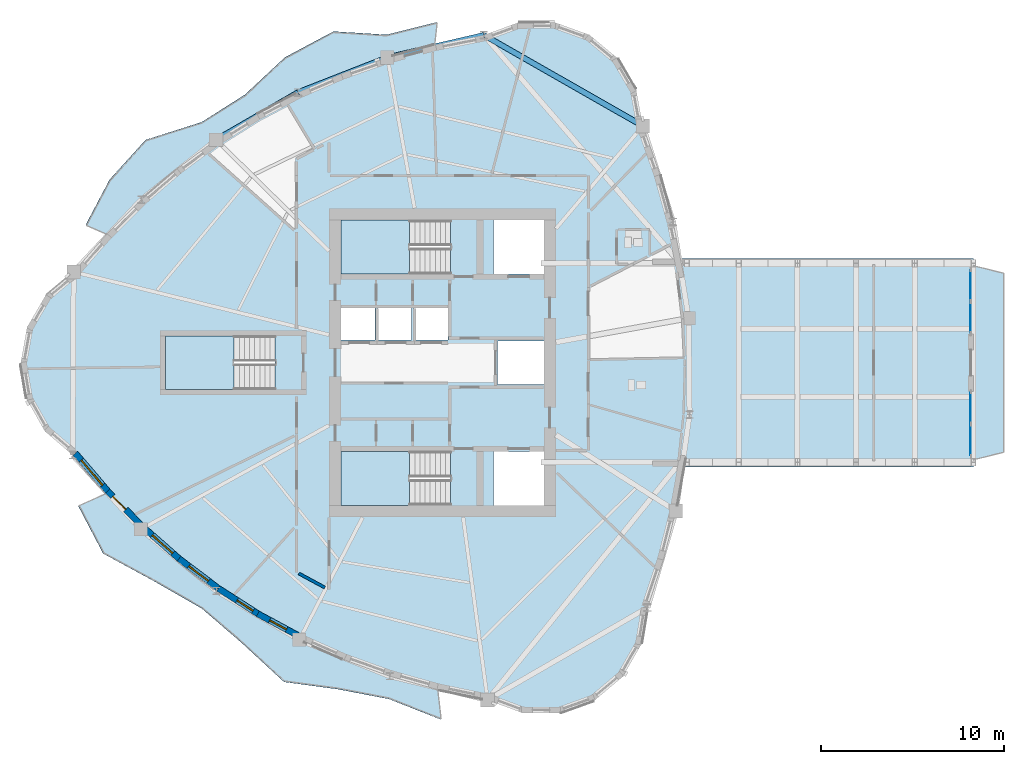
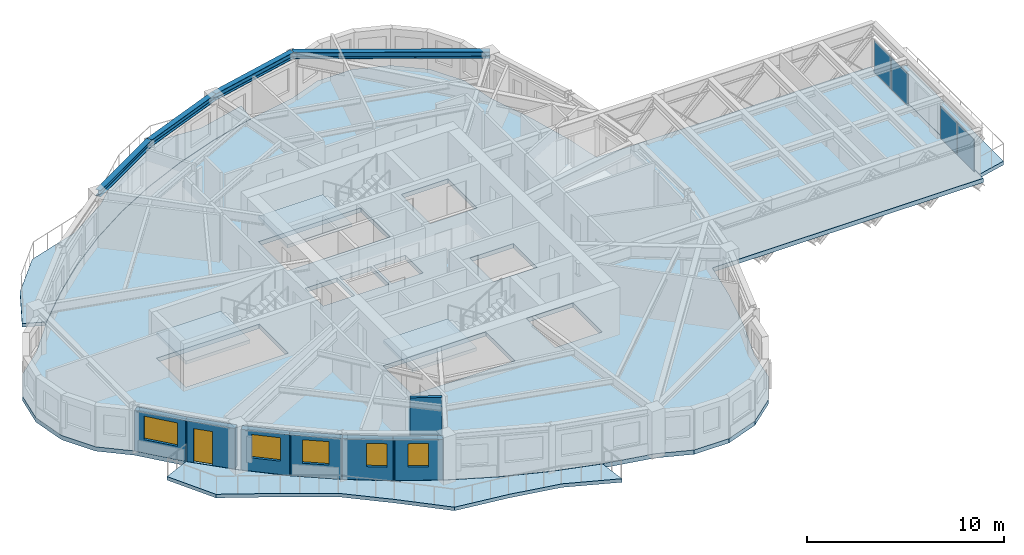
# One storey, part 3 of 13: 7 slabs, 7 walls, 5 windows, 4 beams, 4 plates, 1 door, 6 openings, 5 elements without a shape of their own.
"""IFC4 building model written with IfcOpenShell, lengths in metres."""

from ifc_helpers import new_model, si_unit, direction, frame, frame_2d, origin, origin_2d, place, context, subcontext, project, spatial, polyline, rectangle, i_section, outline, extrude, source, transform, mapped, material, layer, layer_set, material_profile, profile_set, type_object, element, fill, aggregate, save


model = new_model("IFC4")

# Units and contexts
model_context = context("Model", 3, precision=1e-05, world=origin(), true_north=direction((0.0, 1.0)))
body_context = subcontext(model_context, "Body", "Model", "MODEL_VIEW")
ifc_project = project(units=[si_unit("LENGTHUNIT", "METRE"), si_unit("AREAUNIT", "SQUARE_METRE"), si_unit("VOLUMEUNIT", "CUBIC_METRE"), si_unit("PLANEANGLEUNIT", "RADIAN"), si_unit("MASSUNIT", "GRAM", prefix="KILO")], contexts=[model_context])

# Site, building, storey
site_placement = place(None, origin())
site = spatial("IfcSite", under=ifc_project, at=site_placement, CompositionType="ELEMENT")
building_placement = place(site_placement, origin())
building = spatial("IfcBuilding", under=site, at=building_placement, Name="Qafzar Sky-Pleat Residences", CompositionType="ELEMENT")
storey_placement = place(building_placement, frame((0.0, 0.0, 155.39990234375)))
storey = spatial("IfcBuildingStorey", under=building, at=storey_placement, Name="L46", CompositionType="ELEMENT", Elevation=155.39990234375)

# Beams
ifc_material_1 = material(Name="Steel S355", Category="steel")
ifc_material_profile = material_profile(ifc_material_1, i_section(OverallWidth=0.300048828125, OverallDepth=0.39990234375, WebThickness=0.013427734375, FlangeThickness=0.02392578125, FilletRadius=0.027099609375, at=origin_2d()), Name="HEB 400")
ifc_profile_set = profile_set([ifc_material_profile], Name="Steel S355")
beam_type = type_object("IfcBeamType", Name="BM-SPAN-HEB400", PredefinedType="SPANDREL", material=ifc_profile_set)
shared_shape_1 = source(origin(), body_context, "Body", "SweptSolid", [
    extrude(i_section(OverallWidth=0.300048828125, OverallDepth=0.39990234375, WebThickness=0.013427734375, FlangeThickness=0.02392578125, FilletRadius=0.027099609375, at=origin_2d()), origin(), (0.0, 0.0, 1.0), 10.017578125),
])
beam_1_placement = place(storey_placement, frame((41.31103515625, 38.954833984375, 2.733154296875), z_axis=(-0.868435045366, 0.495802956809, 0.0), x_axis=(-0.495802956809, -0.868435045366, 0.0)))
element("IfcBeam", 1, at=beam_1_placement, inside=storey, type_object=beam_type, Name="L46 Perimeter Spandrel Beam 13", PredefinedType="SPANDREL", context=body_context, shape_type="MappedRepresentation", body=[
    mapped(shared_shape_1, transform((0.0, 0.0, 0.0), x_axis=(1.0, 0.0, 0.0), y_axis=(0.0, 1.0, 0.0), z_axis=(0.0, 0.0, 1.0), scale=1.0)),
])
shared_shape_2 = source(origin(), body_context, "Body", "SweptSolid", [
    extrude(i_section(OverallWidth=0.300048828125, OverallDepth=0.39990234375, WebThickness=0.013427734375, FlangeThickness=0.02392578125, FilletRadius=0.027099609375, at=origin_2d()), origin(), (0.0, 0.0, 1.0), 5.415771484375),
])
beam_2_placement = place(storey_placement, frame((32.611328125, 43.921630859375, 2.733154296875), z_axis=(-0.974016815393, -0.226475701418, 0.0), x_axis=(0.226475701418, -0.974016815393, 0.0)))
element("IfcBeam", 2, at=beam_2_placement, inside=storey, type_object=beam_type, Name="L46 Perimeter Spandrel Beam 14", PredefinedType="SPANDREL", context=body_context, shape_type="MappedRepresentation", body=[
    mapped(shared_shape_2, transform((0.0, 0.0, 0.0), x_axis=(1.0, 0.0, 0.0), y_axis=(0.0, 1.0, 0.0), z_axis=(0.0, 0.0, 1.0), scale=1.0)),
])
shared_shape_3 = source(origin(), body_context, "Body", "SweptSolid", [
    extrude(i_section(OverallWidth=0.300048828125, OverallDepth=0.39990234375, WebThickness=0.013427734375, FlangeThickness=0.02392578125, FilletRadius=0.027099609375, at=origin_2d()), origin(), (0.0, 0.0, 1.0), 5.2412109375),
])
beam_3_placement = place(storey_placement, frame((27.336181640625, 42.695068359375, 2.733154296875), z_axis=(-0.931333468568, -0.364167503114, 0.0), x_axis=(0.364167503114, -0.931333468568, 0.0)))
element("IfcBeam", 3, at=beam_3_placement, inside=storey, type_object=beam_type, Name="L46 Perimeter Spandrel Beam 15", PredefinedType="SPANDREL", context=body_context, shape_type="MappedRepresentation", body=[
    mapped(shared_shape_3, transform((0.0, 0.0, 0.0), x_axis=(1.0, 0.0, 0.0), y_axis=(0.0, 1.0, 0.0), z_axis=(0.0, 0.0, 1.0), scale=1.0)),
])
shared_shape_4 = source(origin(), body_context, "Body", "SweptSolid", [
    extrude(i_section(OverallWidth=0.300048828125, OverallDepth=0.39990234375, WebThickness=0.013427734375, FlangeThickness=0.02392578125, FilletRadius=0.027099609375, at=origin_2d()), origin(), (0.0, 0.0, 1.0), 5.181884765625),
])
beam_4_placement = place(storey_placement, frame((22.454833984375, 40.786376953125, 2.733154296875), z_axis=(-0.866010618649, -0.500025607732, 0.0), x_axis=(0.500025607732, -0.866010618649, 0.0)))
element("IfcBeam", 4, at=beam_4_placement, inside=storey, type_object=beam_type, Name="L46 Perimeter Spandrel Beam 16", PredefinedType="SPANDREL", context=body_context, shape_type="MappedRepresentation", body=[
    mapped(shared_shape_4, transform((0.0, 0.0, 0.0), x_axis=(1.0, 0.0, 0.0), y_axis=(0.0, 1.0, 0.0), z_axis=(0.0, 0.0, 1.0), scale=1.0)),
])

# Slabs
ifc_material_2 = material(Name="Concrete C40/50", Category="concrete")
ifc_layer_1 = layer(ifc_material_2, 0.219970703125)
ifc_layer_set_1 = layer_set([ifc_layer_1], Name="Concrete C40/50")
slab_type_1 = type_object("IfcSlabType", Name="SLAB-BAL-220", PredefinedType="USERDEFINED", material=ifc_layer_set_1)
slab_1_placement = place(storey_placement, frame((0.0, 0.0, -0.219970703125)))
element("IfcSlab", 5, at=slab_1_placement, inside=storey, type_object=slab_type_1, Name="L46 Pleated Stone Balcony 1", ObjectType="BALCONY", PredefinedType="USERDEFINED", context=body_context, shape_type="SweptSolid", body=[
    extrude(outline(polyline([(27.335693359375, 42.70703125), (24.843994140625, 41.837646484375), (22.45068359375, 40.797607421875), (20.15576171875, 39.58642578125), (17.959716796875, 38.20458984375), (15.8623046875, 36.652099609375), (13.863525390625, 34.9287109375), (11.96337890625, 33.034912109375), (10.82958984375, 33.532470703125), (12.140380859375, 36.01708984375), (14.1103515625, 38.189453125), (17.173095703125, 39.16064453125), (19.536865234375, 40.65869140625), (21.735107421875, 42.705810546875), (24.388427734375, 44.12353515625), (27.286376953125, 43.944091796875), (30.06201171875, 44.635986328125), (29.92578125, 43.405517578125), (27.335693359375, 42.70703125)])), origin(), (0.0, 0.0, 1.0), 0.219970703125),
])
slab_2_placement = place(storey_placement, frame((0.0, 0.0, -0.219970703125)))
element("IfcSlab", 6, at=slab_2_placement, inside=storey, type_object=slab_type_1, Name="L46 Pleated Stone Balcony 2", ObjectType="BALCONY", PredefinedType="USERDEFINED", context=body_context, shape_type="SweptSolid", body=[
    extrude(outline(polyline([(13.839111328125, 16.884521484375), (15.85498046875, 15.1123046875), (17.972900390625, 13.5126953125), (20.193115234375, 12.085693359375), (22.514892578125, 10.83154296875), (24.938720703125, 9.750244140625), (27.46435546875, 8.841796875), (30.091552734375, 8.105712890625), (30.28173828125, 6.47900390625), (27.42578125, 7.604248046875), (24.635498046875, 8.140625), (21.685791015625, 8.538818359375), (19.3916015625, 10.6572265625), (17.197998046875, 12.54736328125), (14.635498046875, 14.018798828125), (11.789306640625, 15.564697265625), (10.429443359375, 18.161865234375), (11.92529296875, 18.8291015625), (13.839111328125, 16.884521484375)])), origin(), (0.0, 0.0, 1.0), 0.219970703125),
])
ifc_layer_2 = layer(ifc_material_2, 0.22998046875)
ifc_layer_set_2 = layer_set([ifc_layer_2], Name="Concrete C40/50")
slab_type_2 = type_object("IfcSlabType", Name="SLAB-BAL-230", PredefinedType="USERDEFINED", material=ifc_layer_set_2)
slab_3_placement = place(storey_placement, frame((0.0, 0.0, -0.22998046875)))
element("IfcSlab", 7, at=slab_3_placement, inside=storey, type_object=slab_type_2, Name="L46 SB-4 Tip Observation Balcony", ObjectType="BALCONY", PredefinedType="USERDEFINED", context=body_context, shape_type="SweptSolid", body=[
    extrude(outline(polyline([(59.40771484375, 20.699951171875), (61.04248046875, 21.10009765625), (61.04248046875, 30.89990234375), (59.40771484375, 31.300048828125), (59.40771484375, 20.699951171875)])), origin(), (0.0, 0.0, 1.0), 0.22998046875),
])

# Stair, slab
stair_type = type_object("IfcStairType", Name="STAIR-H320", PredefinedType="HALF_TURN_STAIR", material=ifc_material_2)
stair_1_placement = place(storey_placement, origin())
stair_1 = element("IfcStair", 8, at=stair_1_placement, inside=storey, type_object=stair_type, Name="L46 Protected Exit Stair ST1", PredefinedType="HALF_TURN_STAIR")
ifc_layer_3 = layer(ifc_material_2, 0.199951171875)
ifc_layer_set_3 = layer_set([ifc_layer_3], Name="Concrete C40/50")
slab_type_3 = type_object("IfcSlabType", Name="SLAB-LANDING-200", PredefinedType="LANDING", material=ifc_layer_set_3)
slab_4_placement = place(storey_placement, frame((0.0, 0.0, 1.400146484375)))
slab_4 = element("IfcSlab", 9, at=slab_4_placement, type_object=slab_type_3, Name="ST1 landing 1", PredefinedType="LANDING", context=body_context, shape_type="SweptSolid", body=[
    extrude(outline(polyline([(28.56005859375, 21.14990234375), (24.800048828125, 21.14990234375), (24.800048828125, 18.199951171875), (28.56005859375, 18.199951171875), (28.56005859375, 21.14990234375)])), origin(), (0.0, 0.0, 1.0), 0.199951171875),
])
aggregate(stair_1, [slab_4])

stair_2_placement = place(storey_placement, origin())
stair_2 = element("IfcStair", 10, at=stair_2_placement, inside=storey, type_object=stair_type, Name="L46 Protected Exit Stair ST2", PredefinedType="HALF_TURN_STAIR")
slab_5_placement = place(storey_placement, frame((0.0, 0.0, 1.400146484375)))
slab_5 = element("IfcSlab", 11, at=slab_5_placement, type_object=slab_type_3, Name="ST2 landing 1", PredefinedType="LANDING", context=body_context, shape_type="SweptSolid", body=[
    extrude(outline(polyline([(28.56005859375, 33.800048828125), (24.800048828125, 33.800048828125), (24.800048828125, 30.85009765625), (28.56005859375, 30.85009765625), (28.56005859375, 33.800048828125)])), origin(), (0.0, 0.0, 1.0), 0.199951171875),
])
aggregate(stair_2, [slab_5])

stair_3_placement = place(storey_placement, origin())
stair_3 = element("IfcStair", 12, at=stair_3_placement, inside=storey, type_object=stair_type, Name="L46 Protected Exit Stair ST3", PredefinedType="HALF_TURN_STAIR")
slab_6_placement = place(storey_placement, frame((0.0, 0.0, 1.400146484375)))
slab_6 = element("IfcSlab", 13, at=slab_6_placement, type_object=slab_type_3, Name="ST3 landing 1", PredefinedType="LANDING", context=body_context, shape_type="SweptSolid", body=[
    extrude(outline(polyline([(18.9599609375, 27.47509765625), (15.199951171875, 27.47509765625), (15.199951171875, 24.52490234375), (18.9599609375, 24.52490234375), (18.9599609375, 27.47509765625)])), origin(), (0.0, 0.0, 1.0), 0.199951171875),
])
aggregate(stair_3, [slab_6])

# Slab
ifc_layer_4 = layer(ifc_material_2, 0.264892578125)
ifc_layer_set_4 = layer_set([ifc_layer_4], Name="Concrete C40/50")
slab_type_4 = type_object("IfcSlabType", Name="SLAB-SB-265", PredefinedType="FLOOR", material=ifc_layer_set_4)
slab_7_placement = place(storey_placement, frame((0.0, 0.0, -0.264892578125)))
element("IfcSlab", 14, at=slab_7_placement, inside=storey, type_object=slab_type_4, Name="L46 Structural Floor Slab", PredefinedType="FLOOR", context=body_context, shape_type="SweptSolid", body=[
    extrude(outline(polyline([(43.11669921875, 17.890380859375), (42.44140625, 15.248779296875), (41.565673828125, 12.60498046875), (41.22900390625, 10.600341796875), (40.220947265625, 8.835205078125), (38.666015625, 7.52587890625), (36.754638671875, 6.833740234375), (34.721923828125, 6.84375), (32.817626953125, 7.55419921875), (30.090087890625, 8.11767578125), (27.464599609375, 8.853759765625), (24.94091796875, 9.76220703125), (22.51904296875, 10.843017578125), (20.198974609375, 12.09619140625), (17.98046875, 13.52197265625), (15.864013671875, 15.1201171875), (13.849365234375, 16.890869140625), (11.936279296875, 18.833984375), (10.125244140625, 20.94970703125), (8.600830078125, 22.252197265625), (7.61083984375, 23.995849609375), (7.273681640625, 25.972412109375), (7.6298828125, 27.94580078125), (8.63671875, 29.6796875), (10.173583984375, 30.96728515625), (11.974365234375, 33.0302734375), (13.87353515625, 34.92236328125), (15.87109375, 36.644287109375), (17.96728515625, 38.1953125), (20.161865234375, 39.576171875), (22.454833984375, 40.786376953125), (24.84619140625, 41.825927734375), (27.336181640625, 42.695068359375), (29.924560546875, 43.3935546875), (32.611328125, 43.921630859375), (34.494873046875, 44.60888671875), (36.5, 44.61376953125), (38.386962890625, 43.935791015625), (39.93017578125, 42.655517578125), (40.9453125, 40.92626953125), (41.31103515625, 38.954833984375), (42.23779296875, 36.32861328125), (42.964111328125, 33.7001953125), (43.364013671875, 31.699951171875), (59.392578125, 31.699951171875), (59.392578125, 20.300048828125), (43.550537109375, 20.300048828125), (43.11669921875, 17.890380859375)]), holes=[polyline([(30.797119140625, 21.14990234375), (24.800048828125, 21.14990234375), (24.800048828125, 18.199951171875), (30.797119140625, 18.199951171875), (30.797119140625, 21.14990234375)]), polyline([(30.797119140625, 33.800048828125), (24.800048828125, 33.800048828125), (24.800048828125, 30.85009765625), (30.797119140625, 30.85009765625), (30.797119140625, 33.800048828125)]), polyline([(21.197021484375, 27.47509765625), (15.199951171875, 27.47509765625), (15.199951171875, 24.52490234375), (21.197021484375, 24.52490234375), (21.197021484375, 27.47509765625)]), polyline([(24.800048828125, 27.25), (26.64990234375, 27.25), (26.64990234375, 29.050048828125), (24.800048828125, 29.050048828125), (24.800048828125, 27.25)]), polyline([(26.800048828125, 27.25), (28.64990234375, 27.25), (28.64990234375, 29.050048828125), (26.800048828125, 29.050048828125), (26.800048828125, 27.25)]), polyline([(28.800048828125, 27.25), (30.64990234375, 27.25), (30.64990234375, 29.050048828125), (28.800048828125, 29.050048828125), (28.800048828125, 27.25)]), polyline([(33.14990234375, 18.199951171875), (35.89990234375, 18.199951171875), (35.89990234375, 21.14990234375), (33.14990234375, 21.14990234375), (33.14990234375, 18.199951171875)]), polyline([(33.14990234375, 30.85009765625), (35.89990234375, 30.85009765625), (35.89990234375, 33.800048828125), (33.14990234375, 33.800048828125), (33.14990234375, 30.85009765625)]), polyline([(33.35009765625, 24.800048828125), (35.89990234375, 24.800048828125), (35.89990234375, 27.199951171875), (33.35009765625, 27.199951171875), (33.35009765625, 24.800048828125)])]), origin(), (0.0, 0.0, 1.0), 0.264892578125),
])

# Curtain wall, plates
ifc_material_3 = material(Name="Anodised bronze aluminium framing", Category="aluminium")
ifc_layer_5 = layer(ifc_material_3, 0.239990234375)
ifc_layer_set_5 = layer_set([ifc_layer_5], Name="Anodised bronze aluminium framing")
curtain_wall_type_1 = type_object("IfcCurtainWallType", Name="CW-SYS-02", PredefinedType="NOTDEFINED", material=ifc_layer_set_5)
curtain_wall_1_placement = place(storey_placement, origin())
curtain_wall_1 = element("IfcCurtainWall", 15, at=curtain_wall_1_placement, inside=storey, type_object=curtain_wall_type_1, Name="L46 CW-02 Curtain Wall CW-L46-SB-4-PROW-L", PredefinedType="NOTDEFINED")
ifc_material_4 = material(Name="Solar-control double low-E glazing", Category="glass")
ifc_layer_6 = layer(ifc_material_4, 0.031982421875)
ifc_layer_set_6 = layer_set([ifc_layer_6], Name="Solar-control double low-E glazing")
plate_type_1 = type_object("IfcPlateType", Name="CWP-02", PredefinedType="CURTAIN_PANEL", material=ifc_layer_set_6)
shared_shape_5 = source(origin(), body_context, "Body", "SweptSolid", [
    extrude(rectangle(XDim=1.677490234375, YDim=0.031982421875, at=origin_2d()), origin(), (0.0, 0.0, 1.0), 1.965087890625),
])
plate_1_placement = place(storey_placement, frame((59.24267578125, 30.226318359375, 0.0751953125), z_axis=(0.0, 0.0, 1.0), x_axis=(0.0, -1.0, 0.0)))
plate_1 = element("IfcPlate", 16, at=plate_1_placement, type_object=plate_type_1, Name="CW-02 panel 1.1", PredefinedType="CURTAIN_PANEL", context=body_context, shape_type="MappedRepresentation", body=[
    mapped(shared_shape_5, transform((0.0, 0.0, 0.0), x_axis=(1.0, 0.0, 0.0), y_axis=(0.0, 1.0, 0.0), z_axis=(0.0, 0.0, 1.0), scale=1.0)),
])
plate_2_placement = place(storey_placement, frame((59.24267578125, 28.4736328125, 0.0751953125), z_axis=(0.0, 0.0, 1.0), x_axis=(0.0, -1.0, 0.0)))
plate_2 = element("IfcPlate", 17, at=plate_2_placement, type_object=plate_type_1, Name="CW-02 panel 2.1", PredefinedType="CURTAIN_PANEL", context=body_context, shape_type="MappedRepresentation", body=[
    mapped(shared_shape_5, transform((0.0, 0.0, 0.0), x_axis=(1.0, 0.0, 0.0), y_axis=(0.0, 1.0, 0.0), z_axis=(0.0, 0.0, 1.0), scale=1.0)),
])
aggregate(curtain_wall_1, [plate_1, plate_2])

ifc_layer_7 = layer(ifc_material_3, 0.219970703125)
ifc_layer_set_7 = layer_set([ifc_layer_7], Name="Anodised bronze aluminium framing")
curtain_wall_type_2 = type_object("IfcCurtainWallType", Name="CW-SYS-03", PredefinedType="NOTDEFINED", material=ifc_layer_set_7)
curtain_wall_2_placement = place(storey_placement, origin())
curtain_wall_2 = element("IfcCurtainWall", 18, at=curtain_wall_2_placement, inside=storey, type_object=curtain_wall_type_2, Name="L46 CW-03 Curtain Wall CW-L46-SB-4-PROW-R", PredefinedType="NOTDEFINED")
ifc_layer_8 = layer(ifc_material_4, 0.030029296875)
ifc_layer_set_8 = layer_set([ifc_layer_8], Name="Solar-control double low-E glazing")
plate_type_2 = type_object("IfcPlateType", Name="CWP-03", PredefinedType="CURTAIN_PANEL", material=ifc_layer_set_8)
shared_shape_6 = source(origin(), body_context, "Body", "SweptSolid", [
    extrude(rectangle(XDim=1.68505859375, YDim=0.030029296875, at=origin_2d()), origin(), (0.0, 0.0, 1.0), 1.97509765625),
])
plate_3_placement = place(storey_placement, frame((59.24267578125, 23.527587890625, 0.070068359375), z_axis=(0.0, 0.0, 1.0), x_axis=(0.0, -1.0, 0.0)))
plate_3 = element("IfcPlate", 19, at=plate_3_placement, type_object=plate_type_2, Name="CW-03 panel 1.1", PredefinedType="CURTAIN_PANEL", context=body_context, shape_type="MappedRepresentation", body=[
    mapped(shared_shape_6, transform((0.0, 0.0, 0.0), x_axis=(1.0, 0.0, 0.0), y_axis=(0.0, 1.0, 0.0), z_axis=(0.0, 0.0, 1.0), scale=1.0)),
])
plate_4_placement = place(storey_placement, frame((59.24267578125, 21.7724609375, 0.070068359375), z_axis=(0.0, 0.0, 1.0), x_axis=(0.0, -1.0, 0.0)))
plate_4 = element("IfcPlate", 20, at=plate_4_placement, type_object=plate_type_2, Name="CW-03 panel 2.1", PredefinedType="CURTAIN_PANEL", context=body_context, shape_type="MappedRepresentation", body=[
    mapped(shared_shape_6, transform((0.0, 0.0, 0.0), x_axis=(1.0, 0.0, 0.0), y_axis=(0.0, 1.0, 0.0), z_axis=(0.0, 0.0, 1.0), scale=1.0)),
])
aggregate(curtain_wall_2, [plate_3, plate_4])

# Wall
ifc_material_5 = material(Name="Acoustic gypsum plasterboard partition", Category="gypsum")
ifc_layer_9 = layer(ifc_material_5, 0.159912109375)
ifc_layer_set_9 = layer_set([ifc_layer_9], Name="Acoustic gypsum plasterboard partition")
wall_type_1 = type_object("IfcWallType", Name="PART-COR-160", PredefinedType="PARTITIONING", material=ifc_layer_set_9)
wall_1_placement = place(storey_placement, frame((22.4951171875, 14.470458984375, 0.0), z_axis=(0.0, 0.0, 1.0), x_axis=(0.879828765098, -0.475290799517, 0.0)))
element("IfcWall", 21, at=wall_1_placement, inside=storey, type_object=wall_type_1, Name="L46 Partition Wall PART-L46-PW-034", PredefinedType="PARTITIONING", context=body_context, shape_type="SweptSolid", body=[
    extrude(rectangle(XDim=1.625244140625, YDim=0.159912109375, at=frame_2d((0.8125, 0.0))), origin(), (0.0, 0.0, 1.0), 2.93505859375),
])

# Wall, opening, window
ifc_material_6 = material(Name="Precast concrete C40/50 with honed Riyadh limestone", Category="concrete")
ifc_layer_10 = layer(ifc_material_6, 0.340087890625)
ifc_layer_set_10 = layer_set([ifc_layer_10], Name="Precast concrete C40/50 with honed Riyadh limestone")
wall_type_2 = type_object("IfcWallType", Name="WALL-EXT-340", PredefinedType="SOLIDWALL", material=ifc_layer_set_10)
wall_2_placement = place(storey_placement, frame((10.267333984375, 21.045166015625, 0.0), z_axis=(0.0, 0.0, 1.0), x_axis=(0.650339388137, -0.759643785098, 0.0)))
wall_2 = element("IfcWall", 22, at=wall_2_placement, inside=storey, type_object=wall_type_2, Name="L46 Limestone Facade Wall 7", PredefinedType="SOLIDWALL", context=body_context, shape_type="SweptSolid", body=[
    extrude(rectangle(XDim=2.80322265625, YDim=0.340087890625, at=frame_2d((1.401611328125, 0.0))), origin(), (0.0, 0.0, 1.0), 2.51513671875),
])
opening_1_placement = place(wall_2_placement, frame((0.491455078125, 0.0, 0.820068359375)))
opening_1 = element("IfcOpeningElement", 23, at=opening_1_placement, cuts=wall_2, Name="Opening WN-01", PredefinedType="OPENING", context=body_context, shape_type="SweptSolid", body=[
    extrude(rectangle(XDim=1.800048828125, YDim=1.449951171875, at=frame_2d((0.89990234375, 0.72509765625))), frame((0.0, 0.18017578125, 0.0), z_axis=(0.0, -1.0, 0.0), x_axis=(1.0, 0.0, 0.0)), (0.0, 0.0, 1.0), 0.360107421875),
])
ifc_material_7 = material(Name="Solar-control low-E glass in bronze aluminium frame", Category="glass")
window_type_1 = type_object("IfcWindowType", Name="WIN-01", PartitioningType="DOUBLE_PANEL_VERTICAL", PredefinedType="WINDOW", material=ifc_material_7)
shared_shape_7 = source(origin(), body_context, "Body", "SweptSolid", [
    extrude(rectangle(XDim=1.800048828125, YDim=1.449951171875, at=frame_2d((0.89990234375, 0.72509765625))), frame((0.0, 0.030029296875, 0.0), z_axis=(0.0, -1.0, 0.0), x_axis=(1.0, 0.0, 0.0)), (0.0, 0.0, 1.0), 0.06005859375),
])
window_1_placement = place(opening_1_placement, origin())
window_1 = element("IfcWindow", 24, at=window_1_placement, inside=storey, type_object=window_type_1, Name="L46 Punched Facade Window 07", OverallHeight=1.449951171875, OverallWidth=1.800048828125, PartitioningType="SINGLE_PANEL", PredefinedType="WINDOW", context=body_context, shape_type="MappedRepresentation", body=[
    mapped(shared_shape_7, transform((0.0, 0.0, 0.0), x_axis=(1.0, 0.0, 0.0), y_axis=(0.0, 1.0, 0.0), z_axis=(0.0, 0.0, 1.0), scale=1.0)),
])
fill(opening_1, window_1)

# Wall, opening, door
wall_3_placement = place(storey_placement, frame((12.031005859375, 18.98046875, 0.0), z_axis=(0.0, 0.0, 1.0), x_axis=(0.701518749222, -0.712650997677, 0.0)))
wall_3 = element("IfcWall", 25, at=wall_3_placement, inside=storey, type_object=wall_type_2, Name="L46 Limestone Facade Wall 8", PredefinedType="SOLIDWALL", context=body_context, shape_type="SweptSolid", body=[
    extrude(rectangle(XDim=2.60986328125, YDim=0.340087890625, at=frame_2d((1.304931640625, 0.0))), origin(), (0.0, 0.0, 1.0), 2.51513671875),
])
opening_2_placement = place(wall_3_placement, frame((0.413330078125, 0.0, 0.0)))
opening_2 = element("IfcOpeningElement", 26, at=opening_2_placement, cuts=wall_3, Name="Opening ED-05", PredefinedType="OPENING", context=body_context, shape_type="SweptSolid", body=[
    extrude(rectangle(XDim=1.0, YDim=2.10009765625, at=frame_2d((0.5, 1.050048828125))), frame((0.0, 0.18017578125, 0.0), z_axis=(0.0, -1.0, 0.0), x_axis=(1.0, 0.0, 0.0)), (0.0, 0.0, 1.0), 0.360107421875),
])
ifc_material_8 = material(Name="Glazed bronze aluminium door", Category="aluminium")
door_type = type_object("IfcDoorType", Name="DR-BAL-1000", OperationType="NOTDEFINED", PredefinedType="DOOR", material=ifc_material_8)
shared_shape_8 = source(origin(), body_context, "Body", "SweptSolid", [
    extrude(rectangle(XDim=1.0, YDim=2.10009765625, at=frame_2d((0.5, 1.050048828125))), frame((0.0, 0.02490234375, 0.0), z_axis=(0.0, -1.0, 0.0), x_axis=(1.0, 0.0, 0.0)), (0.0, 0.0, 1.0), 0.050048828125),
])
door_placement = place(opening_2_placement, origin())
door = element("IfcDoor", 27, at=door_placement, inside=storey, type_object=door_type, Name="L46 Glazed Balcony Door 2", OperationType="SINGLE_SWING_LEFT", OverallHeight=2.10009765625, OverallWidth=1.0, PredefinedType="DOOR", context=body_context, shape_type="MappedRepresentation", body=[
    mapped(shared_shape_8, transform((0.0, 0.0, 0.0), x_axis=(1.0, 0.0, 0.0), y_axis=(0.0, 1.0, 0.0), z_axis=(0.0, 0.0, 1.0), scale=1.0)),
])
fill(opening_2, door)

# Wall, opening, window
wall_4_placement = place(storey_placement, frame((14.077880859375, 16.916259765625, 0.0), z_axis=(0.0, 0.0, 1.0), x_axis=(0.751177768463, -0.660099962253, 0.0)))
wall_4 = element("IfcWall", 28, at=wall_4_placement, inside=storey, type_object=wall_type_2, Name="L46 Limestone Facade Wall 9", PredefinedType="SOLIDWALL", context=body_context, shape_type="SweptSolid", body=[
    extrude(rectangle(XDim=2.565185546875, YDim=0.340087890625, at=frame_2d((1.28271484375, 0.0))), origin(), (0.0, 0.0, 1.0), 2.51513671875),
])
opening_3_placement = place(wall_4_placement, frame((0.527587890625, 0.0, 0.820068359375)))
opening_3 = element("IfcOpeningElement", 29, at=opening_3_placement, cuts=wall_4, Name="Opening WN-03", PredefinedType="OPENING", context=body_context, shape_type="SweptSolid", body=[
    extrude(rectangle(XDim=1.5, YDim=1.449951171875, at=frame_2d((0.75, 0.72509765625))), frame((0.0, 0.18017578125, 0.0), z_axis=(0.0, -1.0, 0.0), x_axis=(1.0, 0.0, 0.0)), (0.0, 0.0, 1.0), 0.360107421875),
])
window_type_2 = type_object("IfcWindowType", Name="WIN-03", PartitioningType="DOUBLE_PANEL_VERTICAL", PredefinedType="WINDOW", material=ifc_material_7)
shared_shape_9 = source(origin(), body_context, "Body", "SweptSolid", [
    extrude(rectangle(XDim=1.5, YDim=1.449951171875, at=frame_2d((0.75, 0.72509765625))), frame((0.0, 0.030029296875, 0.0), z_axis=(0.0, -1.0, 0.0), x_axis=(1.0, 0.0, 0.0)), (0.0, 0.0, 1.0), 0.06005859375),
])
window_2_placement = place(opening_3_placement, origin())
window_2 = element("IfcWindow", 30, at=window_2_placement, inside=storey, type_object=window_type_2, Name="L46 Punched Facade Window 09", OverallHeight=1.449951171875, OverallWidth=1.5, PartitioningType="SINGLE_PANEL", PredefinedType="WINDOW", context=body_context, shape_type="MappedRepresentation", body=[
    mapped(shared_shape_9, transform((0.0, 0.0, 0.0), x_axis=(1.0, 0.0, 0.0), y_axis=(0.0, 1.0, 0.0), z_axis=(0.0, 0.0, 1.0), scale=1.0)),
])
fill(opening_3, window_2)

wall_5_placement = place(storey_placement, frame((15.93603515625, 15.27880859375, 0.0), z_axis=(0.0, 0.0, 1.0), x_axis=(0.798020729511, -0.602629998649, 0.0)))
wall_5 = element("IfcWall", 31, at=wall_5_placement, inside=storey, type_object=wall_type_2, Name="L46 Limestone Facade Wall 10", PredefinedType="SOLIDWALL", context=body_context, shape_type="SweptSolid", body=[
    extrude(rectangle(XDim=2.670166015625, YDim=0.340087890625, at=frame_2d((1.3349609375, 0.0))), origin(), (0.0, 0.0, 1.0), 2.51513671875),
])
opening_4_placement = place(wall_5_placement, frame((0.670166015625, 0.0, 0.820068359375)))
opening_4 = element("IfcOpeningElement", 32, at=opening_4_placement, cuts=wall_5, Name="Opening WN-04", PredefinedType="OPENING", context=body_context, shape_type="SweptSolid", body=[
    extrude(rectangle(XDim=1.35009765625, YDim=1.449951171875, at=frame_2d((0.675048828125, 0.72509765625))), frame((0.0, 0.18017578125, 0.0), z_axis=(0.0, -1.0, 0.0), x_axis=(1.0, 0.0, 0.0)), (0.0, 0.0, 1.0), 0.360107421875),
])
window_type_3 = type_object("IfcWindowType", Name="WIN-04", PartitioningType="SINGLE_PANEL", PredefinedType="WINDOW", material=ifc_material_7)
shared_shape_10 = source(origin(), body_context, "Body", "SweptSolid", [
    extrude(rectangle(XDim=1.35009765625, YDim=1.449951171875, at=frame_2d((0.675048828125, 0.72509765625))), frame((0.0, 0.030029296875, 0.0), z_axis=(0.0, -1.0, 0.0), x_axis=(1.0, 0.0, 0.0)), (0.0, 0.0, 1.0), 0.06005859375),
])
window_3_placement = place(opening_4_placement, origin())
window_3 = element("IfcWindow", 33, at=window_3_placement, inside=storey, type_object=window_type_3, Name="L46 Punched Facade Window 10", OverallHeight=1.449951171875, OverallWidth=1.35009765625, PartitioningType="SINGLE_PANEL", PredefinedType="WINDOW", context=body_context, shape_type="MappedRepresentation", body=[
    mapped(shared_shape_10, transform((0.0, 0.0, 0.0), x_axis=(1.0, 0.0, 0.0), y_axis=(0.0, 1.0, 0.0), z_axis=(0.0, 0.0, 1.0), scale=1.0)),
])
fill(opening_4, window_3)

wall_6_placement = place(storey_placement, frame((18.089111328125, 13.654296875, 0.0), z_axis=(0.0, 0.0, 1.0), x_axis=(0.841241207466, -0.540659995617, 0.0)))
wall_6 = element("IfcWall", 34, at=wall_6_placement, inside=storey, type_object=wall_type_2, Name="L46 Limestone Facade Wall 11", PredefinedType="SOLIDWALL", context=body_context, shape_type="SweptSolid", body=[
    extrude(rectangle(XDim=2.6552734375, YDim=0.340087890625, at=frame_2d((1.32763671875, 0.0))), origin(), (0.0, 0.0, 1.0), 2.51513671875),
])
opening_5_placement = place(wall_6_placement, frame((1.21533203125, 0.0, 0.820068359375)))
opening_5 = element("IfcOpeningElement", 35, at=opening_5_placement, cuts=wall_6, Name="Opening WN-06", PredefinedType="OPENING", context=body_context, shape_type="SweptSolid", body=[
    extrude(rectangle(XDim=1.050048828125, YDim=1.449951171875, at=frame_2d((0.52490234375, 0.72509765625))), frame((0.0, 0.18017578125, 0.0), z_axis=(0.0, -1.0, 0.0), x_axis=(1.0, 0.0, 0.0)), (0.0, 0.0, 1.0), 0.360107421875),
])
window_type_4 = type_object("IfcWindowType", Name="WIN-06", PartitioningType="SINGLE_PANEL", PredefinedType="WINDOW", material=ifc_material_7)
shared_shape_11 = source(origin(), body_context, "Body", "SweptSolid", [
    extrude(rectangle(XDim=1.050048828125, YDim=1.449951171875, at=frame_2d((0.52490234375, 0.72509765625))), frame((0.0, 0.030029296875, 0.0), z_axis=(0.0, -1.0, 0.0), x_axis=(1.0, 0.0, 0.0)), (0.0, 0.0, 1.0), 0.06005859375),
])
window_4_placement = place(opening_5_placement, origin())
window_4 = element("IfcWindow", 36, at=window_4_placement, inside=storey, type_object=window_type_4, Name="L46 Punched Facade Window 11-2", OverallHeight=1.449951171875, OverallWidth=1.050048828125, PartitioningType="SINGLE_PANEL", PredefinedType="WINDOW", context=body_context, shape_type="MappedRepresentation", body=[
    mapped(shared_shape_11, transform((0.0, 0.0, 0.0), x_axis=(1.0, 0.0, 0.0), y_axis=(0.0, 1.0, 0.0), z_axis=(0.0, 0.0, 1.0), scale=1.0)),
])
fill(opening_5, window_4)

wall_7_placement = place(storey_placement, frame((20.246337890625, 12.263916015625, 0.0), z_axis=(0.0, 0.0, 1.0), x_axis=(0.879813837033, -0.475318432385, 0.0)))
wall_7 = element("IfcWall", 37, at=wall_7_placement, inside=storey, type_object=wall_type_2, Name="L46 Limestone Facade Wall 12", PredefinedType="SOLIDWALL", context=body_context, shape_type="SweptSolid", body=[
    extrude(rectangle(XDim=2.52001953125, YDim=0.340087890625, at=frame_2d((1.260009765625, 0.0))), origin(), (0.0, 0.0, 1.0), 2.51513671875),
])
opening_6_placement = place(wall_7_placement, frame((0.739990234375, 0.0, 0.820068359375)))
opening_6 = element("IfcOpeningElement", 38, at=opening_6_placement, cuts=wall_7, Name="Opening WN-06", PredefinedType="OPENING", context=body_context, shape_type="SweptSolid", body=[
    extrude(rectangle(XDim=1.050048828125, YDim=1.449951171875, at=frame_2d((0.52490234375, 0.72509765625))), frame((0.0, 0.18017578125, 0.0), z_axis=(0.0, -1.0, 0.0), x_axis=(1.0, 0.0, 0.0)), (0.0, 0.0, 1.0), 0.360107421875),
])
window_5_placement = place(opening_6_placement, origin())
window_5 = element("IfcWindow", 39, at=window_5_placement, inside=storey, type_object=window_type_4, Name="L46 Punched Facade Window 12", OverallHeight=1.449951171875, OverallWidth=1.050048828125, PartitioningType="SINGLE_PANEL", PredefinedType="WINDOW", context=body_context, shape_type="MappedRepresentation", body=[
    mapped(shared_shape_11, transform((0.0, 0.0, 0.0), x_axis=(1.0, 0.0, 0.0), y_axis=(0.0, 1.0, 0.0), z_axis=(0.0, 0.0, 1.0), scale=1.0)),
])
fill(opening_6, window_5)

save(model, "model.ifc")
